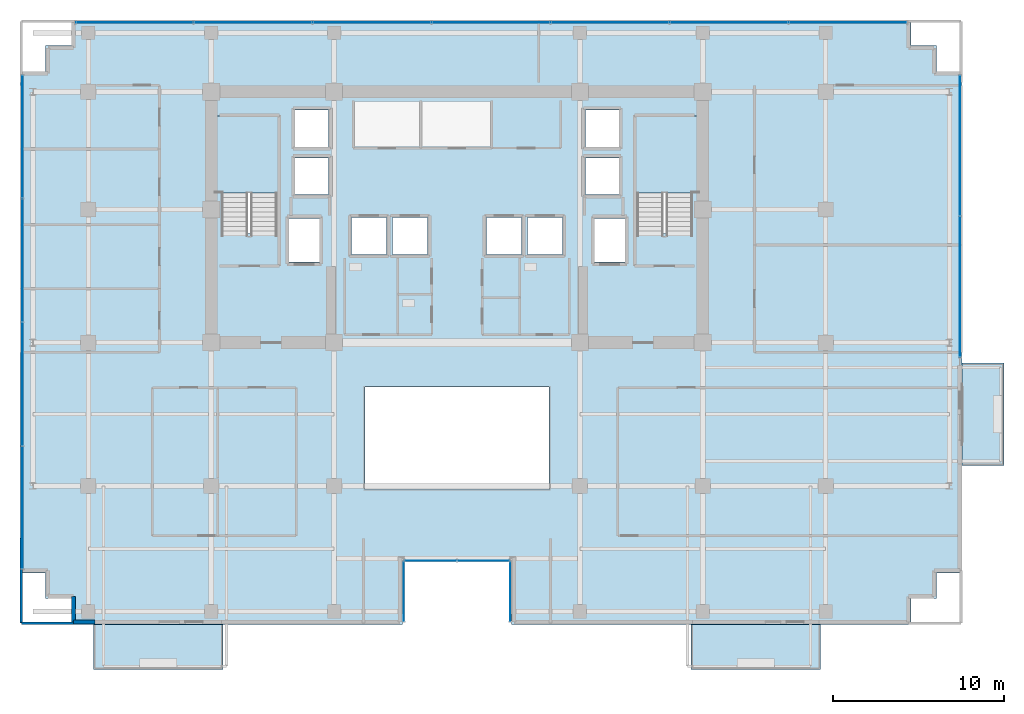
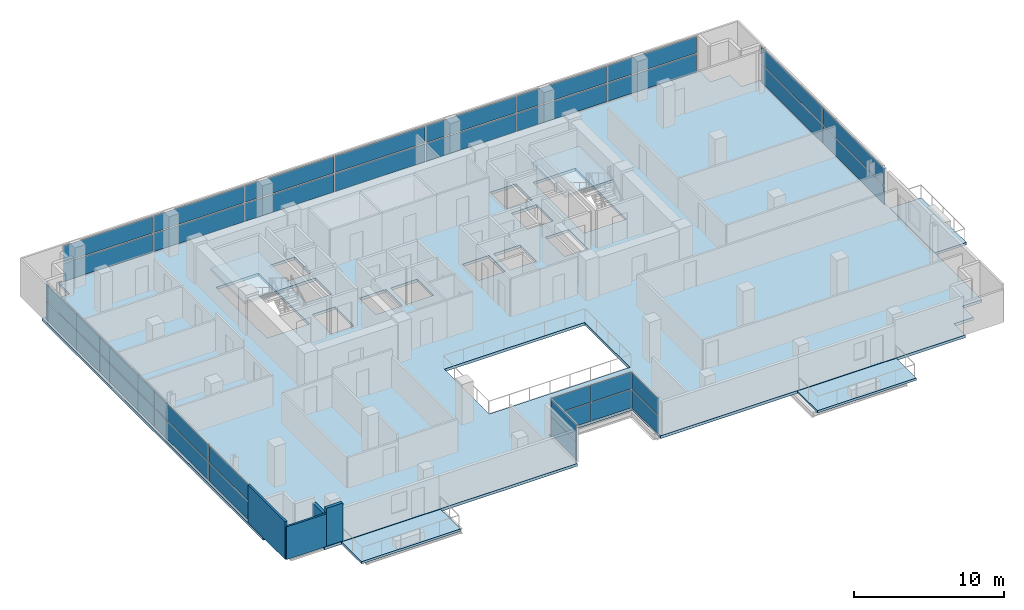
# One storey, part 16 of 24: 34 plates, 6 slabs, 4 walls, 8 elements without a shape of their own.
"""IFC4 building model written with IfcOpenShell, lengths in metres."""

from ifc_helpers import new_model, si_unit, direction, frame, frame_2d, origin, origin_2d, place, context, subcontext, project, spatial, polyline, rectangle, outline, extrude, source, transform, mapped, material, layer, layer_set, type_object, element, aggregate, save


model = new_model("IFC4")

# Units and contexts
model_context = context("Model", 3, precision=1e-05, world=origin(), true_north=direction((0.0, 1.0)))
body_context = subcontext(model_context, "Body", "Model", "MODEL_VIEW")
ifc_project = project(units=[si_unit("LENGTHUNIT", "METRE"), si_unit("AREAUNIT", "SQUARE_METRE"), si_unit("VOLUMEUNIT", "CUBIC_METRE"), si_unit("PLANEANGLEUNIT", "RADIAN"), si_unit("MASSUNIT", "GRAM", prefix="KILO")], contexts=[model_context])

# Site, building, storey
site_placement = place(None, origin())
site = spatial("IfcSite", under=ifc_project, at=site_placement, CompositionType="ELEMENT")
building_placement = place(site_placement, origin())
building = spatial("IfcBuilding", under=site, at=building_placement, Name="Zarnakvel Exchange Tower", CompositionType="ELEMENT")
storey_placement = place(building_placement, frame((0.0, 0.0, 119.800048828125)))
storey = spatial("IfcBuildingStorey", under=building, at=storey_placement, Name="L33", CompositionType="ELEMENT", Elevation=119.800048828125)

# Stair, slab
ifc_material_1 = material(Name="Concrete C40/50", Category="concrete")
stair_type = type_object("IfcStairType", Name="STR-01", PredefinedType="HALF_TURN_STAIR", material=ifc_material_1)
stair_1_placement = place(storey_placement, origin())
stair_1 = element("IfcStair", 1, at=stair_1_placement, inside=storey, type_object=stair_type, Name="L33 Protected Core Exit Stair ST-01", PredefinedType="HALF_TURN_STAIR")
ifc_layer_1 = layer(ifc_material_1, 0.199951171875)
ifc_layer_set_1 = layer_set([ifc_layer_1], Name="Concrete C40/50")
slab_type_1 = type_object("IfcSlabType", Name="LDG-01", PredefinedType="LANDING", material=ifc_layer_set_1)
slab_1_placement = place(storey_placement, frame((0.0, 0.0, 1.449951171875)))
slab_1 = element("IfcSlab", 2, at=slab_1_placement, type_object=slab_type_1, Name="ST-01 landing 1", PredefinedType="LANDING", context=body_context, shape_type="SweptSolid", body=[
    extrude(outline(polyline([(-14.18994140625, 7.570068359375), (-10.4599609375, 7.570068359375), (-10.4599609375, 12.080078125), (-14.18994140625, 12.080078125), (-14.18994140625, 7.570068359375)])), origin(), (0.0, 0.0, 1.0), 0.199951171875),
])
aggregate(stair_1, [slab_1])

stair_2_placement = place(storey_placement, origin())
stair_2 = element("IfcStair", 3, at=stair_2_placement, inside=storey, type_object=stair_type, Name="L33 Protected Core Exit Stair ST-02", PredefinedType="HALF_TURN_STAIR")
slab_2_placement = place(storey_placement, frame((0.0, 0.0, 1.449951171875)))
slab_2 = element("IfcSlab", 4, at=slab_2_placement, type_object=slab_type_1, Name="ST-02 landing 1", PredefinedType="LANDING", context=body_context, shape_type="SweptSolid", body=[
    extrude(outline(polyline([(10.4599609375, 7.570068359375), (14.18994140625, 7.570068359375), (14.18994140625, 12.080078125), (10.4599609375, 12.080078125), (10.4599609375, 7.570068359375)])), origin(), (0.0, 0.0, 1.0), 0.199951171875),
])
aggregate(stair_2, [slab_2])

# Slabs
ifc_layer_2 = layer(ifc_material_1, 0.22509765625)
ifc_layer_set_2 = layer_set([ifc_layer_2], Name="Concrete C40/50")
slab_type_2 = type_object("IfcSlabType", Name="SL-04", PredefinedType="FLOOR", material=ifc_layer_set_2)
slab_3_placement = place(storey_placement, frame((0.0, 0.0, -0.22509765625)))
element("IfcSlab", 5, at=slab_3_placement, inside=storey, type_object=slab_type_2, Name="L33 Primary Structural Floor Slab", PredefinedType="FLOOR", context=body_context, shape_type="SweptSolid", body=[
    extrude(outline(polyline([(-25.60009765625, -14.699951171875), (-24.10009765625, -14.699951171875), (-24.10009765625, -16.199951171875), (-22.60009765625, -16.199951171875), (-22.60009765625, -17.699951171875), (-3.199951171875, -17.699951171875), (-3.199951171875, -13.89990234375), (3.199951171875, -13.89990234375), (3.199951171875, -17.699951171875), (26.60009765625, -17.699951171875), (26.60009765625, -16.199951171875), (28.10009765625, -16.199951171875), (28.10009765625, -14.699951171875), (29.60009765625, -14.699951171875), (29.60009765625, 14.699951171875), (28.10009765625, 14.699951171875), (28.10009765625, 16.199951171875), (26.60009765625, 16.199951171875), (26.60009765625, 17.699951171875), (-22.60009765625, 17.699951171875), (-22.60009765625, 16.199951171875), (-24.10009765625, 16.199951171875), (-24.10009765625, 14.699951171875), (-25.60009765625, 14.699951171875), (-25.60009765625, -14.699951171875)]), holes=[polyline([(-5.39990234375, -9.800048828125), (5.39990234375, -9.800048828125), (5.39990234375, -3.800048828125), (-5.39990234375, -3.800048828125), (-5.39990234375, -9.800048828125)]), polyline([(-13.800048828125, 5.2099609375), (-10.5400390625, 5.2099609375), (-10.5400390625, 12.0), (-13.800048828125, 12.0), (-13.800048828125, 5.2099609375)]), polyline([(10.5400390625, 5.2099609375), (13.800048828125, 5.2099609375), (13.800048828125, 12.0), (10.5400390625, 12.0), (10.5400390625, 5.2099609375)]), polyline([(-9.830078125, 3.52001953125), (-8.070068359375, 3.52001953125), (-8.070068359375, 6.080078125), (-9.830078125, 6.080078125), (-9.830078125, 3.52001953125)]), polyline([(8.070068359375, 3.52001953125), (9.830078125, 3.52001953125), (9.830078125, 6.080078125), (8.070068359375, 6.080078125), (8.070068359375, 3.52001953125)]), polyline([(-6.179931640625, 3.969970703125), (-4.1201171875, 3.969970703125), (-4.1201171875, 6.1298828125), (-6.179931640625, 6.1298828125), (-6.179931640625, 3.969970703125)]), polyline([(-3.780029296875, 3.969970703125), (-1.719970703125, 3.969970703125), (-1.719970703125, 6.1298828125), (-3.780029296875, 6.1298828125), (-3.780029296875, 3.969970703125)]), polyline([(1.719970703125, 3.969970703125), (3.780029296875, 3.969970703125), (3.780029296875, 6.1298828125), (1.719970703125, 6.1298828125), (1.719970703125, 3.969970703125)]), polyline([(4.1201171875, 3.969970703125), (6.179931640625, 3.969970703125), (6.179931640625, 6.1298828125), (4.1201171875, 6.1298828125), (4.1201171875, 3.969970703125)]), polyline([(-9.47998046875, 7.469970703125), (-7.52001953125, 7.469970703125), (-7.52001953125, 9.6298828125), (-9.47998046875, 9.6298828125), (-9.47998046875, 7.469970703125)]), polyline([(-9.47998046875, 10.27001953125), (-7.52001953125, 10.27001953125), (-7.52001953125, 12.429931640625), (-9.47998046875, 12.429931640625), (-9.47998046875, 10.27001953125)]), polyline([(7.52001953125, 7.469970703125), (9.47998046875, 7.469970703125), (9.47998046875, 9.6298828125), (7.52001953125, 9.6298828125), (7.52001953125, 7.469970703125)]), polyline([(7.52001953125, 10.27001953125), (9.47998046875, 10.27001953125), (9.47998046875, 12.429931640625), (7.52001953125, 12.429931640625), (7.52001953125, 10.27001953125)])]), origin(), (0.0, 0.0, 1.0), 0.22509765625),
])
ifc_layer_3 = layer(ifc_material_1, 0.18994140625)
ifc_layer_set_3 = layer_set([ifc_layer_3], Name="Concrete C40/50")
slab_type_3 = type_object("IfcSlabType", Name="SL-08", PredefinedType="USERDEFINED", material=ifc_layer_set_3)
slab_4_placement = place(storey_placement, frame((0.0, 0.0, -0.22509765625)))
element("IfcSlab", 6, at=slab_4_placement, inside=storey, type_object=slab_type_3, Name="L33 Planted Loggia Balcony Slab BAL-L33-SW", ObjectType="BALCONY", PredefinedType="USERDEFINED", context=body_context, shape_type="SweptSolid", body=[
    extrude(outline(polyline([(-21.300048828125, -20.35009765625), (-13.699951171875, -20.35009765625), (-13.699951171875, -17.699951171875), (-21.300048828125, -17.699951171875), (-21.300048828125, -20.35009765625)])), origin(), (0.0, 0.0, 1.0), 0.18994140625),
])
slab_5_placement = place(storey_placement, frame((0.0, 0.0, -0.22509765625)))
element("IfcSlab", 7, at=slab_5_placement, inside=storey, type_object=slab_type_3, Name="L33 Planted Loggia Balcony Slab BAL-L33-SE", ObjectType="BALCONY", PredefinedType="USERDEFINED", context=body_context, shape_type="SweptSolid", body=[
    extrude(outline(polyline([(13.699951171875, -20.35009765625), (21.300048828125, -20.35009765625), (21.300048828125, -17.699951171875), (13.699951171875, -17.699951171875), (13.699951171875, -20.35009765625)])), origin(), (0.0, 0.0, 1.0), 0.18994140625),
])
slab_6_placement = place(storey_placement, frame((0.0, 0.0, -0.22509765625)))
element("IfcSlab", 8, at=slab_6_placement, inside=storey, type_object=slab_type_3, Name="L33 Planted Loggia Balcony Slab BAL-L33-E", ObjectType="BALCONY", PredefinedType="USERDEFINED", context=body_context, shape_type="SweptSolid", body=[
    extrude(outline(polyline([(29.60009765625, -8.39990234375), (32.050048828125, -8.39990234375), (32.050048828125, -2.39990234375), (29.60009765625, -2.39990234375), (29.60009765625, -8.39990234375)])), origin(), (0.0, 0.0, 1.0), 0.18994140625),
])

# Curtain wall, plate
ifc_material_2 = material(Name="Architectural Bronze Anodised Aluminium", Category="aluminium")
ifc_layer_4 = layer(ifc_material_2, 0.179931640625)
ifc_layer_set_4 = layer_set([ifc_layer_4], Name="Architectural Bronze Anodised Aluminium")
curtain_wall_type_1 = type_object("IfcCurtainWallType", Name="CW-05", PredefinedType="NOTDEFINED", material=ifc_layer_set_4)
curtain_wall_1_placement = place(storey_placement, origin())
curtain_wall_1 = element("IfcCurtainWall", 9, at=curtain_wall_1_placement, inside=storey, type_object=curtain_wall_type_1, Name="L33 Curtain Wall CW-L33-SLW (CW-05)", PredefinedType="NOTDEFINED")
ifc_material_3 = material(Name="Double Low-E Laminated Vision Glass", Category="glass")
ifc_layer_5 = layer(ifc_material_3, 0.02587890625)
ifc_layer_set_5 = layer_set([ifc_layer_5], Name="Double Low-E Laminated Vision Glass")
plate_type_1 = type_object("IfcPlateType", Name="CWP-05", PredefinedType="CURTAIN_PANEL", material=ifc_layer_set_5)
shared_shape_1 = source(origin(), body_context, "Body", "SweptSolid", [
    extrude(rectangle(XDim=3.4599609375, YDim=0.02587890625, at=origin_2d()), origin(), (0.0, 0.0, 1.0), 1.483642578125),
])
plate_1_placement = place(storey_placement, frame((-3.1201171875, -15.780029296875, 0.06982421875), z_axis=(0.0, 0.0, 1.0), x_axis=(0.0, 1.0, 0.0)))
plate_1 = element("IfcPlate", 10, at=plate_1_placement, type_object=plate_type_1, Name="CW-05 panel 1.1", PredefinedType="CURTAIN_PANEL", context=body_context, shape_type="MappedRepresentation", body=[
    mapped(shared_shape_1, transform((0.0, 0.0, 0.0), x_axis=(1.0, 0.0, 0.0), y_axis=(0.0, 1.0, 0.0), z_axis=(0.0, 0.0, 1.0), scale=1.0)),
])

curtain_wall_2_placement = place(storey_placement, origin())
curtain_wall_2 = element("IfcCurtainWall", 11, at=curtain_wall_2_placement, inside=storey, type_object=curtain_wall_type_1, Name="L33 Curtain Wall CW-L33-SLE (CW-05)", PredefinedType="NOTDEFINED")
plate_2_placement = place(storey_placement, frame((3.1201171875, -15.780029296875, 0.06982421875), z_axis=(0.0, 0.0, 1.0), x_axis=(0.0, -1.0, 0.0)))
plate_2 = element("IfcPlate", 12, at=plate_2_placement, type_object=plate_type_1, Name="CW-05 panel 1.1", PredefinedType="CURTAIN_PANEL", context=body_context, shape_type="MappedRepresentation", body=[
    mapped(shared_shape_1, transform((0.0, 0.0, 0.0), x_axis=(1.0, 0.0, 0.0), y_axis=(0.0, 1.0, 0.0), z_axis=(0.0, 0.0, 1.0), scale=1.0)),
])

# Plate
shared_shape_2 = source(origin(), body_context, "Body", "SweptSolid", [
    extrude(rectangle(XDim=3.4599609375, YDim=0.02587890625, at=origin_2d()), origin(), (0.0, 0.0, 1.0), 1.361328125),
])
plate_3_placement = place(storey_placement, frame((-3.1201171875, -15.780029296875, 1.62353515625), z_axis=(0.0, 0.0, 1.0), x_axis=(0.0, 1.0, 0.0)))
plate_3 = element("IfcPlate", 13, at=plate_3_placement, type_object=plate_type_1, Name="CW-05 panel 1.2", PredefinedType="CURTAIN_PANEL", context=body_context, shape_type="MappedRepresentation", body=[
    mapped(shared_shape_2, transform((0.0, 0.0, 0.0), x_axis=(1.0, 0.0, 0.0), y_axis=(0.0, 1.0, 0.0), z_axis=(0.0, 0.0, 1.0), scale=1.0)),
])

aggregate(curtain_wall_1, [plate_1, plate_3])

plate_4_placement = place(storey_placement, frame((3.1201171875, -15.780029296875, 1.62353515625), z_axis=(0.0, 0.0, 1.0), x_axis=(0.0, -1.0, 0.0)))
plate_4 = element("IfcPlate", 14, at=plate_4_placement, type_object=plate_type_1, Name="CW-05 panel 1.2", PredefinedType="CURTAIN_PANEL", context=body_context, shape_type="MappedRepresentation", body=[
    mapped(shared_shape_2, transform((0.0, 0.0, 0.0), x_axis=(1.0, 0.0, 0.0), y_axis=(0.0, 1.0, 0.0), z_axis=(0.0, 0.0, 1.0), scale=1.0)),
])

aggregate(curtain_wall_2, [plate_2, plate_4])

# Curtain wall, plates
curtain_wall_3_placement = place(storey_placement, origin())
curtain_wall_3 = element("IfcCurtainWall", 15, at=curtain_wall_3_placement, inside=storey, type_object=curtain_wall_type_1, Name="L33 Curtain Wall CW-L33-SLB (CW-05)", PredefinedType="NOTDEFINED")
shared_shape_3 = source(origin(), body_context, "Body", "SweptSolid", [
    extrude(rectangle(XDim=3.014892578125, YDim=0.02587890625, at=origin_2d()), origin(), (0.0, 0.0, 1.0), 1.483642578125),
])
plate_5_placement = place(storey_placement, frame((-1.54248046875, -13.97998046875, 0.06982421875), z_axis=(0.0, 0.0, 1.0), x_axis=(1.0, 0.0, 0.0)))
plate_5 = element("IfcPlate", 16, at=plate_5_placement, type_object=plate_type_1, Name="CW-05 panel 1.1", PredefinedType="CURTAIN_PANEL", context=body_context, shape_type="MappedRepresentation", body=[
    mapped(shared_shape_3, transform((0.0, 0.0, 0.0), x_axis=(1.0, 0.0, 0.0), y_axis=(0.0, 1.0, 0.0), z_axis=(0.0, 0.0, 1.0), scale=1.0)),
])
plate_6_placement = place(storey_placement, frame((1.54248046875, -13.97998046875, 0.06982421875), z_axis=(0.0, 0.0, 1.0), x_axis=(1.0, 0.0, 0.0)))
plate_6 = element("IfcPlate", 17, at=plate_6_placement, type_object=plate_type_1, Name="CW-05 panel 2.1", PredefinedType="CURTAIN_PANEL", context=body_context, shape_type="MappedRepresentation", body=[
    mapped(shared_shape_3, transform((0.0, 0.0, 0.0), x_axis=(1.0, 0.0, 0.0), y_axis=(0.0, 1.0, 0.0), z_axis=(0.0, 0.0, 1.0), scale=1.0)),
])
shared_shape_4 = source(origin(), body_context, "Body", "SweptSolid", [
    extrude(rectangle(XDim=3.014892578125, YDim=0.02587890625, at=origin_2d()), origin(), (0.0, 0.0, 1.0), 1.361328125),
])
plate_7_placement = place(storey_placement, frame((-1.54248046875, -13.97998046875, 1.62353515625), z_axis=(0.0, 0.0, 1.0), x_axis=(1.0, 0.0, 0.0)))
plate_7 = element("IfcPlate", 18, at=plate_7_placement, type_object=plate_type_1, Name="CW-05 panel 1.2", PredefinedType="CURTAIN_PANEL", context=body_context, shape_type="MappedRepresentation", body=[
    mapped(shared_shape_4, transform((0.0, 0.0, 0.0), x_axis=(1.0, 0.0, 0.0), y_axis=(0.0, 1.0, 0.0), z_axis=(0.0, 0.0, 1.0), scale=1.0)),
])
plate_8_placement = place(storey_placement, frame((1.54248046875, -13.97998046875, 1.62353515625), z_axis=(0.0, 0.0, 1.0), x_axis=(1.0, 0.0, 0.0)))
plate_8 = element("IfcPlate", 19, at=plate_8_placement, type_object=plate_type_1, Name="CW-05 panel 2.2", PredefinedType="CURTAIN_PANEL", context=body_context, shape_type="MappedRepresentation", body=[
    mapped(shared_shape_4, transform((0.0, 0.0, 0.0), x_axis=(1.0, 0.0, 0.0), y_axis=(0.0, 1.0, 0.0), z_axis=(0.0, 0.0, 1.0), scale=1.0)),
])
aggregate(curtain_wall_3, [plate_5, plate_7, plate_6, plate_8])

ifc_layer_6 = layer(ifc_material_2, 0.199951171875)
ifc_layer_set_6 = layer_set([ifc_layer_6], Name="Architectural Bronze Anodised Aluminium")
curtain_wall_type_2 = type_object("IfcCurtainWallType", Name="CW-04", PredefinedType="NOTDEFINED", material=ifc_layer_set_6)
curtain_wall_4_placement = place(storey_placement, origin())
curtain_wall_4 = element("IfcCurtainWall", 20, at=curtain_wall_4_placement, inside=storey, type_object=curtain_wall_type_2, Name="L33 Curtain Wall CW-L33-W1 (CW-04)", PredefinedType="NOTDEFINED")
ifc_layer_7 = layer(ifc_material_3, 0.028076171875)
ifc_layer_set_7 = layer_set([ifc_layer_7], Name="Double Low-E Laminated Vision Glass")
plate_type_2 = type_object("IfcPlateType", Name="CWP-04", PredefinedType="CURTAIN_PANEL", material=ifc_layer_set_7)
shared_shape_5 = source(origin(), body_context, "Body", "SweptSolid", [
    extrude(rectangle(XDim=7.137451171875, YDim=0.028076171875, at=origin_2d()), origin(), (0.0, 0.0, 1.0), 1.47607421875),
])
plate_9_placement = place(storey_placement, frame((-25.4599609375, -10.856201171875, 0.074951171875), z_axis=(0.0, 0.0, 1.0), x_axis=(0.0, 1.0, 0.0)))
plate_9 = element("IfcPlate", 21, at=plate_9_placement, type_object=plate_type_2, Name="CW-04 panel 1.1", PredefinedType="CURTAIN_PANEL", context=body_context, shape_type="MappedRepresentation", body=[
    mapped(shared_shape_5, transform((0.0, 0.0, 0.0), x_axis=(1.0, 0.0, 0.0), y_axis=(0.0, 1.0, 0.0), z_axis=(0.0, 0.0, 1.0), scale=1.0)),
])
plate_10_placement = place(storey_placement, frame((-25.4599609375, 10.856201171875, 0.074951171875), z_axis=(0.0, 0.0, 1.0), x_axis=(0.0, 1.0, 0.0)))
plate_10 = element("IfcPlate", 22, at=plate_10_placement, type_object=plate_type_2, Name="CW-04 panel 4.1", PredefinedType="CURTAIN_PANEL", context=body_context, shape_type="MappedRepresentation", body=[
    mapped(shared_shape_5, transform((0.0, 0.0, 0.0), x_axis=(1.0, 0.0, 0.0), y_axis=(0.0, 1.0, 0.0), z_axis=(0.0, 0.0, 1.0), scale=1.0)),
])
shared_shape_6 = source(origin(), body_context, "Body", "SweptSolid", [
    extrude(rectangle(XDim=7.137451171875, YDim=0.028076171875, at=origin_2d()), origin(), (0.0, 0.0, 1.0), 1.35400390625),
])
plate_11_placement = place(storey_placement, frame((-25.4599609375, -10.856201171875, 1.6259765625), z_axis=(0.0, 0.0, 1.0), x_axis=(0.0, 1.0, 0.0)))
plate_11 = element("IfcPlate", 23, at=plate_11_placement, type_object=plate_type_2, Name="CW-04 panel 1.2", PredefinedType="CURTAIN_PANEL", context=body_context, shape_type="MappedRepresentation", body=[
    mapped(shared_shape_6, transform((0.0, 0.0, 0.0), x_axis=(1.0, 0.0, 0.0), y_axis=(0.0, 1.0, 0.0), z_axis=(0.0, 0.0, 1.0), scale=1.0)),
])
plate_12_placement = place(storey_placement, frame((-25.4599609375, 10.856201171875, 1.6259765625), z_axis=(0.0, 0.0, 1.0), x_axis=(0.0, 1.0, 0.0)))
plate_12 = element("IfcPlate", 24, at=plate_12_placement, type_object=plate_type_2, Name="CW-04 panel 4.2", PredefinedType="CURTAIN_PANEL", context=body_context, shape_type="MappedRepresentation", body=[
    mapped(shared_shape_6, transform((0.0, 0.0, 0.0), x_axis=(1.0, 0.0, 0.0), y_axis=(0.0, 1.0, 0.0), z_axis=(0.0, 0.0, 1.0), scale=1.0)),
])
shared_shape_7 = source(origin(), body_context, "Body", "SweptSolid", [
    extrude(rectangle(XDim=7.175048828125, YDim=0.028076171875, at=origin_2d()), origin(), (0.0, 0.0, 1.0), 1.47607421875),
])
plate_13_placement = place(storey_placement, frame((-25.4599609375, -3.625, 0.074951171875), z_axis=(0.0, 0.0, 1.0), x_axis=(0.0, 1.0, 0.0)))
plate_13 = element("IfcPlate", 25, at=plate_13_placement, type_object=plate_type_2, Name="CW-04 panel 2.1", PredefinedType="CURTAIN_PANEL", context=body_context, shape_type="MappedRepresentation", body=[
    mapped(shared_shape_7, transform((0.0, 0.0, 0.0), x_axis=(1.0, 0.0, 0.0), y_axis=(0.0, 1.0, 0.0), z_axis=(0.0, 0.0, 1.0), scale=1.0)),
])
plate_14_placement = place(storey_placement, frame((-25.4599609375, 3.625, 0.074951171875), z_axis=(0.0, 0.0, 1.0), x_axis=(0.0, 1.0, 0.0)))
plate_14 = element("IfcPlate", 26, at=plate_14_placement, type_object=plate_type_2, Name="CW-04 panel 3.1", PredefinedType="CURTAIN_PANEL", context=body_context, shape_type="MappedRepresentation", body=[
    mapped(shared_shape_7, transform((0.0, 0.0, 0.0), x_axis=(1.0, 0.0, 0.0), y_axis=(0.0, 1.0, 0.0), z_axis=(0.0, 0.0, 1.0), scale=1.0)),
])
shared_shape_8 = source(origin(), body_context, "Body", "SweptSolid", [
    extrude(rectangle(XDim=7.175048828125, YDim=0.028076171875, at=origin_2d()), origin(), (0.0, 0.0, 1.0), 1.35400390625),
])
plate_15_placement = place(storey_placement, frame((-25.4599609375, -3.625, 1.6259765625), z_axis=(0.0, 0.0, 1.0), x_axis=(0.0, 1.0, 0.0)))
plate_15 = element("IfcPlate", 27, at=plate_15_placement, type_object=plate_type_2, Name="CW-04 panel 2.2", PredefinedType="CURTAIN_PANEL", context=body_context, shape_type="MappedRepresentation", body=[
    mapped(shared_shape_8, transform((0.0, 0.0, 0.0), x_axis=(1.0, 0.0, 0.0), y_axis=(0.0, 1.0, 0.0), z_axis=(0.0, 0.0, 1.0), scale=1.0)),
])
plate_16_placement = place(storey_placement, frame((-25.4599609375, 3.625, 1.6259765625), z_axis=(0.0, 0.0, 1.0), x_axis=(0.0, 1.0, 0.0)))
plate_16 = element("IfcPlate", 28, at=plate_16_placement, type_object=plate_type_2, Name="CW-04 panel 3.2", PredefinedType="CURTAIN_PANEL", context=body_context, shape_type="MappedRepresentation", body=[
    mapped(shared_shape_8, transform((0.0, 0.0, 0.0), x_axis=(1.0, 0.0, 0.0), y_axis=(0.0, 1.0, 0.0), z_axis=(0.0, 0.0, 1.0), scale=1.0)),
])
aggregate(curtain_wall_4, [plate_9, plate_11, plate_13, plate_15, plate_14, plate_16, plate_10, plate_12])

curtain_wall_5_placement = place(storey_placement, origin())
curtain_wall_5 = element("IfcCurtainWall", 29, at=curtain_wall_5_placement, inside=storey, type_object=curtain_wall_type_2, Name="L33 Curtain Wall CW-L33-EN (CW-04)", PredefinedType="NOTDEFINED")
shared_shape_9 = source(origin(), body_context, "Body", "SweptSolid", [
    extrude(rectangle(XDim=8.1875, YDim=0.028076171875, at=origin_2d()), origin(), (0.0, 0.0, 1.0), 1.47607421875),
])
plate_17_placement = place(storey_placement, frame((29.4599609375, 2.06884765625, 0.074951171875), z_axis=(0.0, 0.0, 1.0), x_axis=(0.0, 1.0, 0.0)))
plate_17 = element("IfcPlate", 30, at=plate_17_placement, type_object=plate_type_2, Name="CW-04 panel 1.1", PredefinedType="CURTAIN_PANEL", context=body_context, shape_type="MappedRepresentation", body=[
    mapped(shared_shape_9, transform((0.0, 0.0, 0.0), x_axis=(1.0, 0.0, 0.0), y_axis=(0.0, 1.0, 0.0), z_axis=(0.0, 0.0, 1.0), scale=1.0)),
])
plate_18_placement = place(storey_placement, frame((29.4599609375, 10.331298828125, 0.074951171875), z_axis=(0.0, 0.0, 1.0), x_axis=(0.0, 1.0, 0.0)))
plate_18 = element("IfcPlate", 31, at=plate_18_placement, type_object=plate_type_2, Name="CW-04 panel 2.1", PredefinedType="CURTAIN_PANEL", context=body_context, shape_type="MappedRepresentation", body=[
    mapped(shared_shape_9, transform((0.0, 0.0, 0.0), x_axis=(1.0, 0.0, 0.0), y_axis=(0.0, 1.0, 0.0), z_axis=(0.0, 0.0, 1.0), scale=1.0)),
])
shared_shape_10 = source(origin(), body_context, "Body", "SweptSolid", [
    extrude(rectangle(XDim=8.1875, YDim=0.028076171875, at=origin_2d()), origin(), (0.0, 0.0, 1.0), 1.35400390625),
])
plate_19_placement = place(storey_placement, frame((29.4599609375, 2.06884765625, 1.6259765625), z_axis=(0.0, 0.0, 1.0), x_axis=(0.0, 1.0, 0.0)))
plate_19 = element("IfcPlate", 32, at=plate_19_placement, type_object=plate_type_2, Name="CW-04 panel 1.2", PredefinedType="CURTAIN_PANEL", context=body_context, shape_type="MappedRepresentation", body=[
    mapped(shared_shape_10, transform((0.0, 0.0, 0.0), x_axis=(1.0, 0.0, 0.0), y_axis=(0.0, 1.0, 0.0), z_axis=(0.0, 0.0, 1.0), scale=1.0)),
])
plate_20_placement = place(storey_placement, frame((29.4599609375, 10.331298828125, 1.6259765625), z_axis=(0.0, 0.0, 1.0), x_axis=(0.0, 1.0, 0.0)))
plate_20 = element("IfcPlate", 33, at=plate_20_placement, type_object=plate_type_2, Name="CW-04 panel 2.2", PredefinedType="CURTAIN_PANEL", context=body_context, shape_type="MappedRepresentation", body=[
    mapped(shared_shape_10, transform((0.0, 0.0, 0.0), x_axis=(1.0, 0.0, 0.0), y_axis=(0.0, 1.0, 0.0), z_axis=(0.0, 0.0, 1.0), scale=1.0)),
])
aggregate(curtain_wall_5, [plate_17, plate_19, plate_18, plate_20])

ifc_layer_8 = layer(ifc_material_2, 0.239990234375)
ifc_layer_set_8 = layer_set([ifc_layer_8], Name="Architectural Bronze Anodised Aluminium")
curtain_wall_type_3 = type_object("IfcCurtainWallType", Name="CW-02", PredefinedType="NOTDEFINED", material=ifc_layer_set_8)
curtain_wall_6_placement = place(storey_placement, origin())
curtain_wall_6 = element("IfcCurtainWall", 34, at=curtain_wall_6_placement, inside=storey, type_object=curtain_wall_type_3, Name="L33 Curtain Wall CW-L33-N1 (CW-02)", PredefinedType="NOTDEFINED")
ifc_layer_9 = layer(ifc_material_3, 0.031982421875)
ifc_layer_set_9 = layer_set([ifc_layer_9], Name="Double Low-E Laminated Vision Glass")
plate_type_3 = type_object("IfcPlateType", Name="CWP-02", PredefinedType="CURTAIN_PANEL", material=ifc_layer_set_9)
shared_shape_11 = source(origin(), body_context, "Body", "SweptSolid", [
    extrude(rectangle(XDim=6.83642578125, YDim=0.031982421875, at=origin_2d()), origin(), (0.0, 0.0, 1.0), 1.461181640625),
])
plate_21_placement = place(storey_placement, frame((-18.891845703125, 17.56005859375, 0.0849609375), z_axis=(0.0, 0.0, 1.0), x_axis=(1.0, 0.0, 0.0)))
plate_21 = element("IfcPlate", 35, at=plate_21_placement, type_object=plate_type_3, Name="CW-02 panel 1.1", PredefinedType="CURTAIN_PANEL", context=body_context, shape_type="MappedRepresentation", body=[
    mapped(shared_shape_11, transform((0.0, 0.0, 0.0), x_axis=(1.0, 0.0, 0.0), y_axis=(0.0, 1.0, 0.0), z_axis=(0.0, 0.0, 1.0), scale=1.0)),
])
plate_22_placement = place(storey_placement, frame((22.891845703125, 17.56005859375, 0.0849609375), z_axis=(0.0, 0.0, 1.0), x_axis=(1.0, 0.0, 0.0)))
plate_22 = element("IfcPlate", 36, at=plate_22_placement, type_object=plate_type_3, Name="CW-02 panel 7.1", PredefinedType="CURTAIN_PANEL", context=body_context, shape_type="MappedRepresentation", body=[
    mapped(shared_shape_11, transform((0.0, 0.0, 0.0), x_axis=(1.0, 0.0, 0.0), y_axis=(0.0, 1.0, 0.0), z_axis=(0.0, 0.0, 1.0), scale=1.0)),
])
shared_shape_12 = source(origin(), body_context, "Body", "SweptSolid", [
    extrude(rectangle(XDim=6.83642578125, YDim=0.031982421875, at=origin_2d()), origin(), (0.0, 0.0, 1.0), 1.3388671875),
])
plate_23_placement = place(storey_placement, frame((-18.891845703125, 17.56005859375, 1.631103515625), z_axis=(0.0, 0.0, 1.0), x_axis=(1.0, 0.0, 0.0)))
plate_23 = element("IfcPlate", 37, at=plate_23_placement, type_object=plate_type_3, Name="CW-02 panel 1.2", PredefinedType="CURTAIN_PANEL", context=body_context, shape_type="MappedRepresentation", body=[
    mapped(shared_shape_12, transform((0.0, 0.0, 0.0), x_axis=(1.0, 0.0, 0.0), y_axis=(0.0, 1.0, 0.0), z_axis=(0.0, 0.0, 1.0), scale=1.0)),
])
plate_24_placement = place(storey_placement, frame((22.891845703125, 17.56005859375, 1.631103515625), z_axis=(0.0, 0.0, 1.0), x_axis=(1.0, 0.0, 0.0)))
plate_24 = element("IfcPlate", 38, at=plate_24_placement, type_object=plate_type_3, Name="CW-02 panel 7.2", PredefinedType="CURTAIN_PANEL", context=body_context, shape_type="MappedRepresentation", body=[
    mapped(shared_shape_12, transform((0.0, 0.0, 0.0), x_axis=(1.0, 0.0, 0.0), y_axis=(0.0, 1.0, 0.0), z_axis=(0.0, 0.0, 1.0), scale=1.0)),
])
shared_shape_13 = source(origin(), body_context, "Body", "SweptSolid", [
    extrude(rectangle(XDim=6.88134765625, YDim=0.031982421875, at=origin_2d()), origin(), (0.0, 0.0, 1.0), 1.461181640625),
])
plate_25_placement = place(storey_placement, frame((-11.94287109375, 17.56005859375, 0.0849609375), z_axis=(0.0, 0.0, 1.0), x_axis=(1.0, 0.0, 0.0)))
plate_25 = element("IfcPlate", 39, at=plate_25_placement, type_object=plate_type_3, Name="CW-02 panel 2.1", PredefinedType="CURTAIN_PANEL", context=body_context, shape_type="MappedRepresentation", body=[
    mapped(shared_shape_13, transform((0.0, 0.0, 0.0), x_axis=(1.0, 0.0, 0.0), y_axis=(0.0, 1.0, 0.0), z_axis=(0.0, 0.0, 1.0), scale=1.0)),
])
plate_26_placement = place(storey_placement, frame((-4.971435546875, 17.56005859375, 0.0849609375), z_axis=(0.0, 0.0, 1.0), x_axis=(1.0, 0.0, 0.0)))
plate_26 = element("IfcPlate", 40, at=plate_26_placement, type_object=plate_type_3, Name="CW-02 panel 3.1", PredefinedType="CURTAIN_PANEL", context=body_context, shape_type="MappedRepresentation", body=[
    mapped(shared_shape_13, transform((0.0, 0.0, 0.0), x_axis=(1.0, 0.0, 0.0), y_axis=(0.0, 1.0, 0.0), z_axis=(0.0, 0.0, 1.0), scale=1.0)),
])
plate_27_placement = place(storey_placement, frame((2.0, 17.56005859375, 0.0849609375), z_axis=(0.0, 0.0, 1.0), x_axis=(1.0, 0.0, 0.0)))
plate_27 = element("IfcPlate", 41, at=plate_27_placement, type_object=plate_type_3, Name="CW-02 panel 4.1", PredefinedType="CURTAIN_PANEL", context=body_context, shape_type="MappedRepresentation", body=[
    mapped(shared_shape_13, transform((0.0, 0.0, 0.0), x_axis=(1.0, 0.0, 0.0), y_axis=(0.0, 1.0, 0.0), z_axis=(0.0, 0.0, 1.0), scale=1.0)),
])
plate_28_placement = place(storey_placement, frame((8.971435546875, 17.56005859375, 0.0849609375), z_axis=(0.0, 0.0, 1.0), x_axis=(1.0, 0.0, 0.0)))
plate_28 = element("IfcPlate", 42, at=plate_28_placement, type_object=plate_type_3, Name="CW-02 panel 5.1", PredefinedType="CURTAIN_PANEL", context=body_context, shape_type="MappedRepresentation", body=[
    mapped(shared_shape_13, transform((0.0, 0.0, 0.0), x_axis=(1.0, 0.0, 0.0), y_axis=(0.0, 1.0, 0.0), z_axis=(0.0, 0.0, 1.0), scale=1.0)),
])
plate_29_placement = place(storey_placement, frame((15.94287109375, 17.56005859375, 0.0849609375), z_axis=(0.0, 0.0, 1.0), x_axis=(1.0, 0.0, 0.0)))
plate_29 = element("IfcPlate", 43, at=plate_29_placement, type_object=plate_type_3, Name="CW-02 panel 6.1", PredefinedType="CURTAIN_PANEL", context=body_context, shape_type="MappedRepresentation", body=[
    mapped(shared_shape_13, transform((0.0, 0.0, 0.0), x_axis=(1.0, 0.0, 0.0), y_axis=(0.0, 1.0, 0.0), z_axis=(0.0, 0.0, 1.0), scale=1.0)),
])
shared_shape_14 = source(origin(), body_context, "Body", "SweptSolid", [
    extrude(rectangle(XDim=6.88134765625, YDim=0.031982421875, at=origin_2d()), origin(), (0.0, 0.0, 1.0), 1.3388671875),
])
plate_30_placement = place(storey_placement, frame((-11.94287109375, 17.56005859375, 1.631103515625), z_axis=(0.0, 0.0, 1.0), x_axis=(1.0, 0.0, 0.0)))
plate_30 = element("IfcPlate", 44, at=plate_30_placement, type_object=plate_type_3, Name="CW-02 panel 2.2", PredefinedType="CURTAIN_PANEL", context=body_context, shape_type="MappedRepresentation", body=[
    mapped(shared_shape_14, transform((0.0, 0.0, 0.0), x_axis=(1.0, 0.0, 0.0), y_axis=(0.0, 1.0, 0.0), z_axis=(0.0, 0.0, 1.0), scale=1.0)),
])
plate_31_placement = place(storey_placement, frame((-4.971435546875, 17.56005859375, 1.631103515625), z_axis=(0.0, 0.0, 1.0), x_axis=(1.0, 0.0, 0.0)))
plate_31 = element("IfcPlate", 45, at=plate_31_placement, type_object=plate_type_3, Name="CW-02 panel 3.2", PredefinedType="CURTAIN_PANEL", context=body_context, shape_type="MappedRepresentation", body=[
    mapped(shared_shape_14, transform((0.0, 0.0, 0.0), x_axis=(1.0, 0.0, 0.0), y_axis=(0.0, 1.0, 0.0), z_axis=(0.0, 0.0, 1.0), scale=1.0)),
])
plate_32_placement = place(storey_placement, frame((2.0, 17.56005859375, 1.631103515625), z_axis=(0.0, 0.0, 1.0), x_axis=(1.0, 0.0, 0.0)))
plate_32 = element("IfcPlate", 46, at=plate_32_placement, type_object=plate_type_3, Name="CW-02 panel 4.2", PredefinedType="CURTAIN_PANEL", context=body_context, shape_type="MappedRepresentation", body=[
    mapped(shared_shape_14, transform((0.0, 0.0, 0.0), x_axis=(1.0, 0.0, 0.0), y_axis=(0.0, 1.0, 0.0), z_axis=(0.0, 0.0, 1.0), scale=1.0)),
])
plate_33_placement = place(storey_placement, frame((8.971435546875, 17.56005859375, 1.631103515625), z_axis=(0.0, 0.0, 1.0), x_axis=(1.0, 0.0, 0.0)))
plate_33 = element("IfcPlate", 47, at=plate_33_placement, type_object=plate_type_3, Name="CW-02 panel 5.2", PredefinedType="CURTAIN_PANEL", context=body_context, shape_type="MappedRepresentation", body=[
    mapped(shared_shape_14, transform((0.0, 0.0, 0.0), x_axis=(1.0, 0.0, 0.0), y_axis=(0.0, 1.0, 0.0), z_axis=(0.0, 0.0, 1.0), scale=1.0)),
])
plate_34_placement = place(storey_placement, frame((15.94287109375, 17.56005859375, 1.631103515625), z_axis=(0.0, 0.0, 1.0), x_axis=(1.0, 0.0, 0.0)))
plate_34 = element("IfcPlate", 48, at=plate_34_placement, type_object=plate_type_3, Name="CW-02 panel 6.2", PredefinedType="CURTAIN_PANEL", context=body_context, shape_type="MappedRepresentation", body=[
    mapped(shared_shape_14, transform((0.0, 0.0, 0.0), x_axis=(1.0, 0.0, 0.0), y_axis=(0.0, 1.0, 0.0), z_axis=(0.0, 0.0, 1.0), scale=1.0)),
])
aggregate(curtain_wall_6, [plate_21, plate_23, plate_25, plate_30, plate_26, plate_31, plate_27, plate_32, plate_28, plate_33, plate_29, plate_34, plate_22, plate_24])

# Walls
ifc_material_4 = material(Name="Precast concrete C40/50", Category="concrete")
ifc_layer_10 = layer(ifc_material_4, 0.239990234375)
ifc_layer_set_10 = layer_set([ifc_layer_10], Name="Precast concrete C40/50")
wall_type_1 = type_object("IfcWallType", Name="EW-02", PredefinedType="SOLIDWALL", material=ifc_layer_set_10)
wall_1_placement = place(storey_placement, frame((-22.4599609375, -17.56005859375, 0.0), z_axis=(0.0, 0.0, 1.0), x_axis=(1.0, 0.0, 0.0)))
element("IfcWall", 49, at=wall_1_placement, inside=storey, type_object=wall_type_1, Name="L33 Exterior Precast Spandrel Wall EWC-L33-22 (EW-02)", PredefinedType="SOLIDWALL", context=body_context, shape_type="SweptSolid", body=[
    extrude(rectangle(XDim=1.260009765625, YDim=0.239990234375, at=frame_2d((0.6298828125, 0.0))), origin(), (0.0, 0.0, 1.0), 3.074951171875),
])
wall_2_placement = place(storey_placement, frame((-22.4599609375, -16.06005859375, 0.0), z_axis=(0.0, 0.0, 1.0), x_axis=(0.0, -1.0, 0.0)))
element("IfcWall", 50, at=wall_2_placement, inside=storey, type_object=wall_type_1, Name="L33 Exterior Precast Spandrel Wall EWC-L33-23 (EW-02)", PredefinedType="SOLIDWALL", context=body_context, shape_type="SweptSolid", body=[
    extrude(rectangle(XDim=1.5, YDim=0.239990234375, at=frame_2d((0.75, 0.0))), origin(), (0.0, 0.0, 1.0), 2.56494140625),
])
ifc_material_5 = material(Name="Fire-Rated Gypsum Stud Partition", Category="gypsum")
ifc_layer_11 = layer(ifc_material_5, 0.14990234375)
ifc_layer_set_11 = layer_set([ifc_layer_11], Name="Fire-Rated Gypsum Stud Partition")
wall_type_2 = type_object("IfcWallType", Name="PT-01", PredefinedType="PARTITIONING", material=ifc_layer_set_11)
wall_3_placement = place(storey_placement, frame((-22.4599609375, -17.6298828125, 0.0), z_axis=(0.0, 0.0, 1.0), x_axis=(-1.0, 0.0, 0.0)))
element("IfcWall", 51, at=wall_3_placement, inside=storey, type_object=wall_type_2, Name="L33 Partition Wall PWALL-L33-041 (PT-01)", PredefinedType="PARTITIONING", context=body_context, shape_type="SweptSolid", body=[
    extrude(rectangle(XDim=3.070068359375, YDim=0.14990234375, at=frame_2d((1.53515625, 0.0))), origin(), (0.0, 0.0, 1.0), 2.6650390625),
])
wall_4_placement = place(storey_placement, frame((-25.530029296875, -17.6298828125, 0.0), z_axis=(0.0, 0.0, 1.0), x_axis=(0.0, 1.0, 0.0)))
element("IfcWall", 52, at=wall_4_placement, inside=storey, type_object=wall_type_2, Name="L33 Partition Wall PWALL-L33-042 (PT-01)", PredefinedType="PARTITIONING", context=body_context, shape_type="SweptSolid", body=[
    extrude(rectangle(XDim=4.949951171875, YDim=0.14990234375, at=frame_2d((2.47509765625, 0.0))), origin(), (0.0, 0.0, 1.0), 3.074951171875),
])

save(model, "model.ifc")
